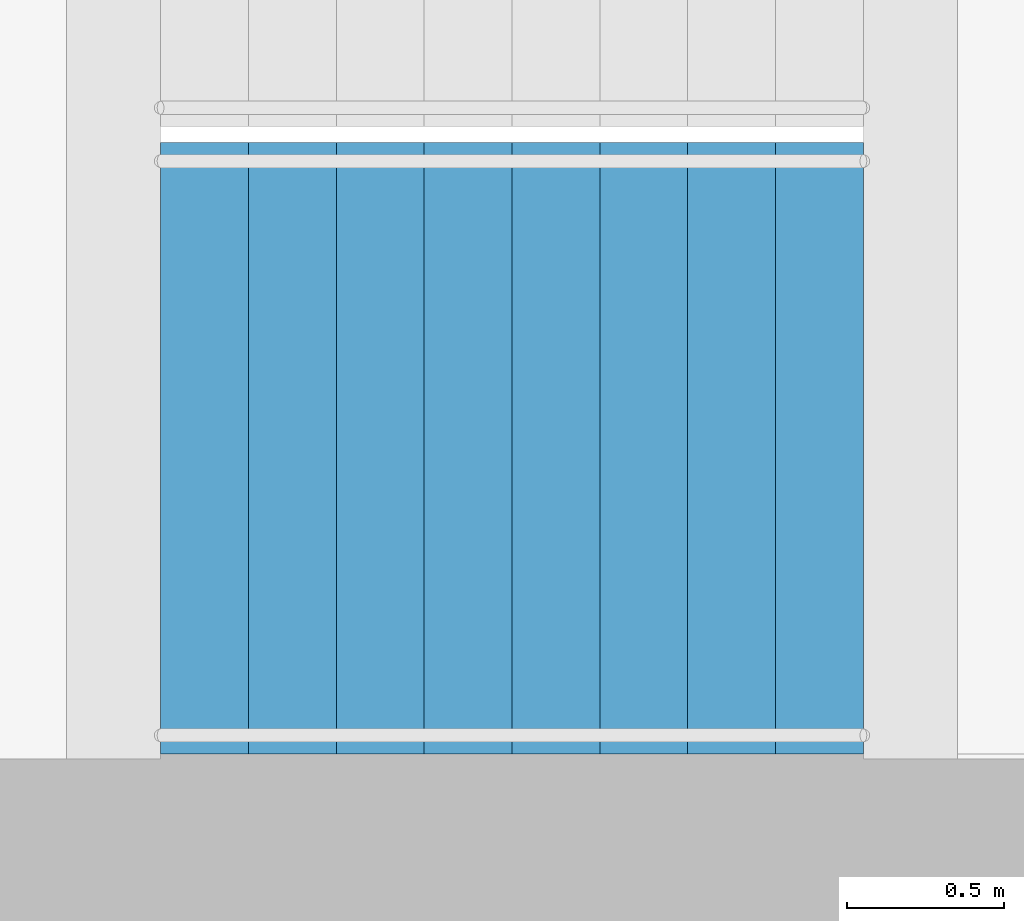
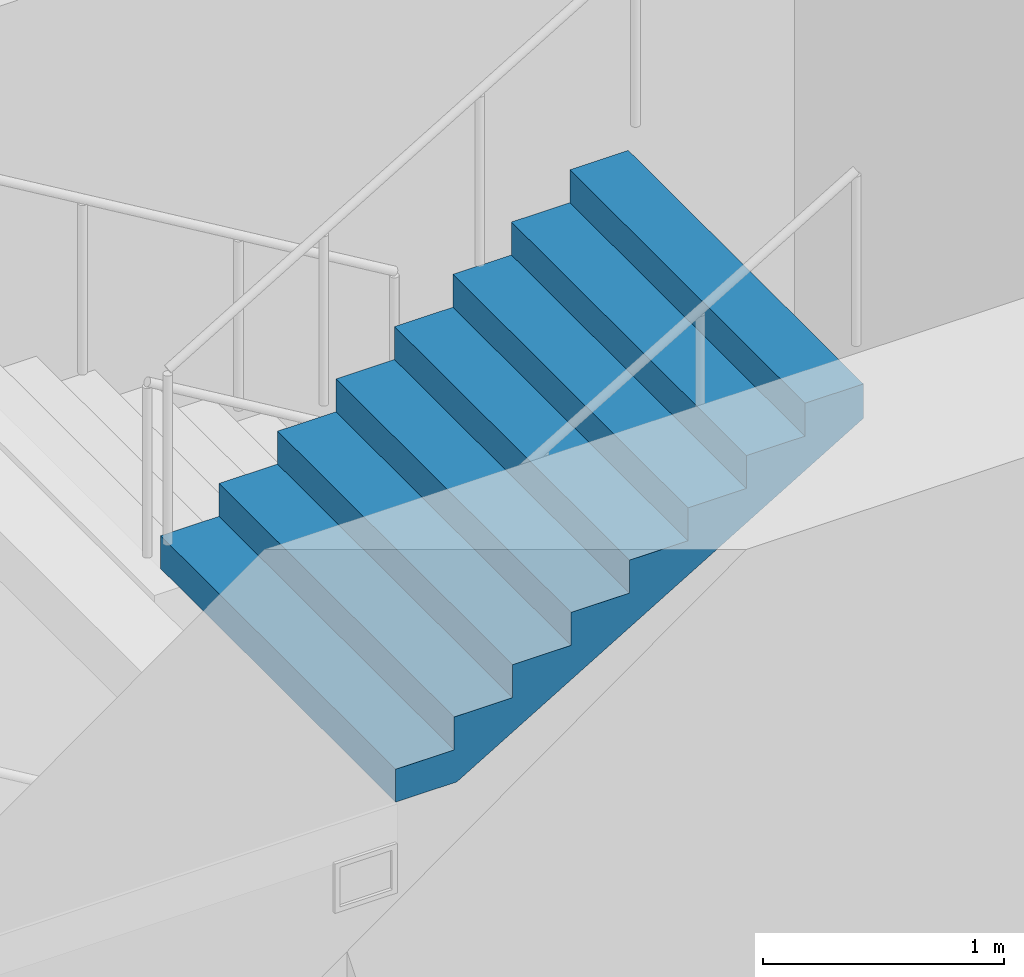
# One storey, part 26 of 57: 1 stair flight, 1 element without a shape of its own.
"""IFC4 building model written with IfcOpenShell, lengths in metres."""

from ifc_helpers import new_model, si_unit, direction, frame, origin, place, context, subcontext, project, spatial, triangles, material, type_object, element, aggregate, save


model = new_model("IFC4")

# Units and contexts
model_context = context("Model", 3, precision=1e-05, world=origin(), true_north=direction((0.0, 1.0)))
body_context = subcontext(model_context, "Body", "Model", "MODEL_VIEW")
ifc_project = project(units=[si_unit("LENGTHUNIT", "METRE"), si_unit("AREAUNIT", "SQUARE_METRE"), si_unit("VOLUMEUNIT", "CUBIC_METRE"), si_unit("PLANEANGLEUNIT", "RADIAN"), si_unit("MASSUNIT", "GRAM", prefix="KILO")], contexts=[model_context])

# Site, building, storey
site_placement = place(None, origin())
site = spatial("IfcSite", under=ifc_project, at=site_placement, CompositionType="ELEMENT")
building_placement = place(site_placement, origin())
building = spatial("IfcBuilding", under=site, at=building_placement, Name="Orbita Commons", CompositionType="ELEMENT")
storey_placement = place(building_placement, origin())
storey = spatial("IfcBuildingStorey", under=building, at=storey_placement, Name="L00", CompositionType="ELEMENT", Elevation=0.0)

# Stair, stair flight
ifc_material_1 = material(Name="Precast concrete C40/50", Category="concrete")
stair_type = type_object("IfcStairType", Name="Exit stair S2 4 flights 9 risers 167", PredefinedType="HALF_TURN_STAIR", material=ifc_material_1)
stair_placement = place(storey_placement, origin())
stair = element("IfcStair", 1, at=stair_placement, inside=storey, type_object=stair_type, Name="Exit stair S2 L00", PredefinedType="HALF_TURN_STAIR")
ifc_material_2 = material(Name="Precast concrete C40/50", Category="concrete")
stair_flight_type = type_object("IfcStairFlightType", Name="Stair flight 9 risers 167 x 280", PredefinedType="STRAIGHT", material=ifc_material_2)
stair_flight_placement = place(storey_placement, frame((61.31005859375, 27.27490234375, 4.5), z_axis=(0.0, 0.0, 1.0), x_axis=(1.0, 0.0, 0.0)))
stair_flight = element("IfcStairFlight", 2, at=stair_flight_placement, type_object=stair_flight_type, Name="S2 flight 4", NumberOfRisers=9, NumberOfTreads=8, PredefinedType="STRAIGHT", RiserHeight=0.166666667, TreadLength=0.28, context=body_context, shape_type="Tessellation", body=[
    triangles([(0.0, 0.974976, 0.0), (0.0, 0.974976, 0.020833), (0.0, 0.81248, 0.020833), (0.0, 0.81248, 0.0), (0.0, 0.649984, 0.020833), (0.0, 0.649984, 0.0), (0.0, 0.487488, 0.020833), (0.0, 0.487488, 0.0), (0.0, 0.324992, 0.020833), (0.0, 0.324992, 0.0), (0.0, 0.162496, 0.020833), (0.0, 0.162496, 0.0), (0.0, 0.0, 0.020833), (0.0, 0.0, 0.0), (0.0, -0.162496, 0.020833), (0.0, -0.162496, 0.0), (0.0, -0.324992, 0.020833), (0.0, -0.324992, 0.0), (0.0, -0.487488, 0.020833), (0.0, -0.487488, 0.0), (0.0, -0.649984, 0.020833), (0.0, -0.649984, 0.0), (0.0, -0.81248, 0.020833), (0.0, -0.81248, 0.0), (0.0, -0.974976, 0.020833), (0.0, -0.974976, 0.0), (0.0, 0.974976, 0.041667), (0.0, 0.81248, 0.041667), (0.0, 0.649984, 0.041667), (0.0, 0.487488, 0.041667), (0.0, 0.324992, 0.041667), (0.0, 0.162496, 0.041667), (0.0, 0.0, 0.041667), (0.0, -0.162496, 0.041667), (0.0, -0.324992, 0.041667), (0.0, -0.487488, 0.041667), (0.0, -0.649984, 0.041667), (0.0, -0.81248, 0.041667), (0.0, -0.974976, 0.041667), (0.0, 0.974976, 0.0625), (0.0, 0.81248, 0.0625), (0.0, 0.649984, 0.0625), (0.0, 0.487488, 0.0625), (0.0, 0.324992, 0.0625), (0.0, 0.162496, 0.0625), (0.0, 0.0, 0.0625), (0.0, -0.162496, 0.0625), (0.0, -0.324992, 0.0625), (0.0, -0.487488, 0.0625), (0.0, -0.649984, 0.0625), (0.0, -0.81248, 0.0625), (0.0, -0.974976, 0.0625), (0.0, 0.974976, 0.083333), (0.0, 0.81248, 0.083333), (0.0, 0.649984, 0.083333), (0.0, 0.487488, 0.083333), (0.0, 0.324992, 0.083333), (0.0, 0.162496, 0.083333), (0.0, 0.0, 0.083333), (0.0, -0.162496, 0.083333), (0.0, -0.324992, 0.083333), (0.0, -0.487488, 0.083333), (0.0, -0.649984, 0.083333), (0.0, -0.81248, 0.083333), (0.0, -0.974976, 0.083333), (0.0, 0.974976, 0.104167), (0.0, 0.81248, 0.104167), (0.0, 0.649984, 0.104167), (0.0, 0.487488, 0.104167), (0.0, 0.324992, 0.104167), (0.0, 0.162496, 0.104167), (0.0, 0.0, 0.104167), (0.0, -0.162496, 0.104167), (0.0, -0.324992, 0.104167), (0.0, -0.487488, 0.104167), (0.0, -0.649984, 0.104167), (0.0, -0.81248, 0.104167), (0.0, -0.974976, 0.104167), (0.0, 0.974976, 0.125), (0.0, 0.81248, 0.125), (0.0, 0.649984, 0.125), (0.0, 0.487488, 0.125), (0.0, 0.324992, 0.125), (0.0, 0.162496, 0.125), (0.0, 0.0, 0.125), (0.0, -0.162496, 0.125), (0.0, -0.324992, 0.125), (0.0, -0.487488, 0.125), (0.0, -0.649984, 0.125), (0.0, -0.81248, 0.125), (0.0, -0.974976, 0.125), (0.0, 0.974976, 0.145833), (0.0, 0.81248, 0.145833), (0.0, 0.649984, 0.145833), (0.0, 0.487488, 0.145833), (0.0, 0.324992, 0.145833), (0.0, 0.162496, 0.145833), (0.0, 0.0, 0.145833), (0.0, -0.162496, 0.145833), (0.0, -0.324992, 0.145833), (0.0, -0.487488, 0.145833), (0.0, -0.649984, 0.145833), (0.0, -0.81248, 0.145833), (0.0, -0.974976, 0.145833), (0.0, 0.974976, 0.166667), (0.0, 0.81248, 0.166667), (0.0, 0.649984, 0.166667), (0.0, 0.487488, 0.166667), (0.0, 0.324992, 0.166667), (0.0, 0.162496, 0.166667), (0.0, 0.0, 0.166667), (0.0, -0.162496, 0.166667), (0.0, -0.324992, 0.166667), (0.0, -0.487488, 0.166667), (0.0, -0.649984, 0.166667), (0.0, -0.81248, 0.166667), (0.0, -0.974976, 0.166667), (0.28, 0.974976, 0.166667), (0.28, 0.81248, 0.166667), (0.28, 0.649984, 0.166667), (0.28, 0.487488, 0.166667), (0.28, 0.324992, 0.166667), (0.28, 0.162496, 0.166667), (0.28, 0.0, 0.166667), (0.28, -0.162496, 0.166667), (0.28, -0.324992, 0.166667), (0.28, -0.487488, 0.166667), (0.28, -0.649984, 0.166667), (0.28, -0.81248, 0.166667), (0.28, -0.974976, 0.166667), (0.28, 0.974976, 0.333333), (0.28, 0.81248, 0.333333), (0.28, 0.649984, 0.333333), (0.28, 0.487488, 0.333333), (0.28, 0.324992, 0.333333), (0.28, 0.162496, 0.333333), (0.28, 0.0, 0.333333), (0.28, -0.162496, 0.333333), (0.28, -0.324992, 0.333333), (0.28, -0.487488, 0.333333), (0.28, -0.649984, 0.333333), (0.28, -0.81248, 0.333333), (0.28, -0.974976, 0.333333), (0.56, 0.974976, 0.333333), (0.56, 0.81248, 0.333333), (0.56, 0.649984, 0.333333), (0.56, 0.487488, 0.333333), (0.56, 0.324992, 0.333333), (0.56, 0.162496, 0.333333), (0.56, 0.0, 0.333333), (0.56, -0.162496, 0.333333), (0.56, -0.324992, 0.333333), (0.56, -0.487488, 0.333333), (0.56, -0.649984, 0.333333), (0.56, -0.81248, 0.333333), (0.56, -0.974976, 0.333333), (0.56, 0.974976, 0.5), (0.56, 0.81248, 0.5), (0.56, 0.649984, 0.5), (0.56, 0.487488, 0.5), (0.56, 0.324992, 0.5), (0.56, 0.162496, 0.5), (0.56, 0.0, 0.5), (0.56, -0.162496, 0.5), (0.56, -0.324992, 0.5), (0.56, -0.487488, 0.5), (0.56, -0.649984, 0.5), (0.56, -0.81248, 0.5), (0.56, -0.974976, 0.5), (0.84, 0.974976, 0.5), (0.84, 0.81248, 0.5), (0.84, 0.649984, 0.5), (0.84, 0.487488, 0.5), (0.84, 0.324992, 0.5), (0.84, 0.162496, 0.5), (0.84, 0.0, 0.5), (0.84, -0.162496, 0.5), (0.84, -0.324992, 0.5), (0.84, -0.487488, 0.5), (0.84, -0.649984, 0.5), (0.84, -0.81248, 0.5), (0.84, -0.974976, 0.5), (0.84, 0.974976, 0.666667), (0.84, 0.81248, 0.666667), (0.84, 0.649984, 0.666667), (0.84, 0.487488, 0.666667), (0.84, 0.324992, 0.666667), (0.84, 0.162496, 0.666667), (0.84, 0.0, 0.666667), (0.84, -0.162496, 0.666667), (0.84, -0.324992, 0.666667), (0.84, -0.487488, 0.666667), (0.84, -0.649984, 0.666667), (0.84, -0.81248, 0.666667), (0.84, -0.974976, 0.666667), (1.12, 0.974976, 0.666667), (1.12, 0.81248, 0.666667), (1.12, 0.649984, 0.666667), (1.12, 0.487488, 0.666667), (1.12, 0.324992, 0.666667), (1.12, 0.162496, 0.666667), (1.12, 0.0, 0.666667), (1.12, -0.162496, 0.666667), (1.12, -0.324992, 0.666667), (1.12, -0.487488, 0.666667), (1.12, -0.649984, 0.666667), (1.12, -0.81248, 0.666667), (1.12, -0.974976, 0.666667), (1.12, 0.974976, 0.833333), (1.12, 0.81248, 0.833333), (1.12, 0.649984, 0.833333), (1.12, 0.487488, 0.833333), (1.12, 0.324992, 0.833333), (1.12, 0.162496, 0.833333), (1.12, 0.0, 0.833333), (1.12, -0.162496, 0.833333), (1.12, -0.324992, 0.833333), (1.12, -0.487488, 0.833333), (1.12, -0.649984, 0.833333), (1.12, -0.81248, 0.833333), (1.12, -0.974976, 0.833333), (1.4, 0.974976, 0.833333), (1.4, 0.81248, 0.833333), (1.4, 0.649984, 0.833333), (1.4, 0.487488, 0.833333), (1.4, 0.324992, 0.833333), (1.4, 0.162496, 0.833333), (1.4, 0.0, 0.833333), (1.4, -0.162496, 0.833333), (1.4, -0.324992, 0.833333), (1.4, -0.487488, 0.833333), (1.4, -0.649984, 0.833333), (1.4, -0.81248, 0.833333), (1.4, -0.974976, 0.833333), (1.4, 0.974976, 1.0), (1.4, 0.81248, 1.0), (1.4, 0.649984, 1.0), (1.4, 0.487488, 1.0), (1.4, 0.324992, 1.0), (1.4, 0.162496, 1.0), (1.4, 0.0, 1.0), (1.4, -0.162496, 1.0), (1.4, -0.324992, 1.0), (1.4, -0.487488, 1.0), (1.4, -0.649984, 1.0), (1.4, -0.81248, 1.0), (1.4, -0.974976, 1.0), (1.68, 0.974976, 1.0), (1.68, 0.81248, 1.0), (1.68, 0.649984, 1.0), (1.68, 0.487488, 1.0), (1.68, 0.324992, 1.0), (1.68, 0.162496, 1.0), (1.68, 0.0, 1.0), (1.68, -0.162496, 1.0), (1.68, -0.324992, 1.0), (1.68, -0.487488, 1.0), (1.68, -0.649984, 1.0), (1.68, -0.81248, 1.0), (1.68, -0.974976, 1.0), (1.68, 0.974976, 1.166667), (1.68, 0.81248, 1.166667), (1.68, 0.649984, 1.166667), (1.68, 0.487488, 1.166667), (1.68, 0.324992, 1.166667), (1.68, 0.162496, 1.166667), (1.68, 0.0, 1.166667), (1.68, -0.162496, 1.166667), (1.68, -0.324992, 1.166667), (1.68, -0.487488, 1.166667), (1.68, -0.649984, 1.166667), (1.68, -0.81248, 1.166667), (1.68, -0.974976, 1.166667), (1.96, 0.974976, 1.166667), (1.96, 0.81248, 1.166667), (1.96, 0.649984, 1.166667), (1.96, 0.487488, 1.166667), (1.96, 0.324992, 1.166667), (1.96, 0.162496, 1.166667), (1.96, 0.0, 1.166667), (1.96, -0.162496, 1.166667), (1.96, -0.324992, 1.166667), (1.96, -0.487488, 1.166667), (1.96, -0.649984, 1.166667), (1.96, -0.81248, 1.166667), (1.96, -0.974976, 1.166667), (1.96, 0.974976, 1.333333), (1.96, 0.81248, 1.333333), (1.96, 0.649984, 1.333333), (1.96, 0.487488, 1.333333), (1.96, 0.324992, 1.333333), (1.96, 0.162496, 1.333333), (1.96, 0.0, 1.333333), (1.96, -0.162496, 1.333333), (1.96, -0.324992, 1.333333), (1.96, -0.487488, 1.333333), (1.96, -0.649984, 1.333333), (1.96, -0.81248, 1.333333), (1.96, -0.974976, 1.333333), (2.24, 0.974976, 1.333333), (2.24, 0.81248, 1.333333), (2.24, 0.649984, 1.333333), (2.24, 0.487488, 1.333333), (2.24, 0.324992, 1.333333), (2.24, 0.162496, 1.333333), (2.24, 0.0, 1.333333), (2.24, -0.162496, 1.333333), (2.24, -0.324992, 1.333333), (2.24, -0.487488, 1.333333), (2.24, -0.649984, 1.333333), (2.24, -0.81248, 1.333333), (2.24, -0.974976, 1.333333), (2.24, 0.974976, 1.311527), (2.24, 0.81248, 1.311527), (2.24, 0.649984, 1.311527), (2.24, 0.487488, 1.311527), (2.24, 0.324992, 1.311527), (2.24, 0.162496, 1.311527), (2.24, 0.0, 1.311527), (2.24, -0.162496, 1.311527), (2.24, -0.324992, 1.311527), (2.24, -0.487488, 1.311527), (2.24, -0.649984, 1.311527), (2.24, -0.81248, 1.311527), (2.24, -0.974976, 1.311527), (2.24, 0.974976, 1.289721), (2.24, 0.81248, 1.289721), (2.24, 0.649984, 1.289721), (2.24, 0.487488, 1.289721), (2.24, 0.324992, 1.289721), (2.24, 0.162496, 1.289721), (2.24, 0.0, 1.289721), (2.24, -0.162496, 1.289721), (2.24, -0.324992, 1.289721), (2.24, -0.487488, 1.289721), (2.24, -0.649984, 1.289721), (2.24, -0.81248, 1.289721), (2.24, -0.974976, 1.289721), (2.24, 0.974976, 1.267915), (2.24, 0.81248, 1.267915), (2.24, 0.649984, 1.267915), (2.24, 0.487488, 1.267915), (2.24, 0.324992, 1.267915), (2.24, 0.162496, 1.267915), (2.24, 0.0, 1.267915), (2.24, -0.162496, 1.267915), (2.24, -0.324992, 1.267915), (2.24, -0.487488, 1.267915), (2.24, -0.649984, 1.267915), (2.24, -0.81248, 1.267915), (2.24, -0.974976, 1.267915), (2.24, 0.974976, 1.246109), (2.24, 0.81248, 1.246109), (2.24, 0.649984, 1.246109), (2.24, 0.487488, 1.246109), (2.24, 0.324992, 1.246109), (2.24, 0.162496, 1.246109), (2.24, 0.0, 1.246109), (2.24, -0.162496, 1.246109), (2.24, -0.324992, 1.246109), (2.24, -0.487488, 1.246109), (2.24, -0.649984, 1.246109), (2.24, -0.81248, 1.246109), (2.24, -0.974976, 1.246109), (2.24, 0.974976, 1.224303), (2.24, 0.81248, 1.224303), (2.24, 0.649984, 1.224303), (2.24, 0.487488, 1.224303), (2.24, 0.324992, 1.224303), (2.24, 0.162496, 1.224303), (2.24, 0.0, 1.224303), (2.24, -0.162496, 1.224303), (2.24, -0.324992, 1.224303), (2.24, -0.487488, 1.224303), (2.24, -0.649984, 1.224303), (2.24, -0.81248, 1.224303), (2.24, -0.974976, 1.224303), (2.24, 0.974976, 1.202497), (2.24, 0.81248, 1.202497), (2.24, 0.649984, 1.202497), (2.24, 0.487488, 1.202497), (2.24, 0.324992, 1.202497), (2.24, 0.162496, 1.202497), (2.24, 0.0, 1.202497), (2.24, -0.162496, 1.202497), (2.24, -0.324992, 1.202497), (2.24, -0.487488, 1.202497), (2.24, -0.649984, 1.202497), (2.24, -0.81248, 1.202497), (2.24, -0.974976, 1.202497), (2.24, 0.974976, 1.180691), (2.24, 0.81248, 1.180691), (2.24, 0.649984, 1.180691), (2.24, 0.487488, 1.180691), (2.24, 0.324992, 1.180691), (2.24, 0.162496, 1.180691), (2.24, 0.0, 1.180691), (2.24, -0.162496, 1.180691), (2.24, -0.324992, 1.180691), (2.24, -0.487488, 1.180691), (2.24, -0.649984, 1.180691), (2.24, -0.81248, 1.180691), (2.24, -0.974976, 1.180691), (2.24, 0.974976, 1.158885), (2.24, 0.81248, 1.158885), (2.24, 0.649984, 1.158885), (2.24, 0.487488, 1.158885), (2.24, 0.324992, 1.158885), (2.24, 0.162496, 1.158885), (2.24, 0.0, 1.158885), (2.24, -0.162496, 1.158885), (2.24, -0.324992, 1.158885), (2.24, -0.487488, 1.158885), (2.24, -0.649984, 1.158885), (2.24, -0.81248, 1.158885), (2.24, -0.974976, 1.158885), (0.293073, 0.974976, 0.0), (0.293073, 0.81248, 0.0), (0.293073, 0.649984, 0.0), (0.293073, 0.487488, 0.0), (0.293073, 0.324992, 0.0), (0.293073, 0.162496, 0.0), (0.293073, 0.0, 0.0), (0.293073, -0.162496, 0.0), (0.293073, -0.324992, 0.0), (0.293073, -0.487488, 0.0), (0.293073, -0.649984, 0.0), (0.293073, -0.81248, 0.0), (0.293073, -0.974976, 0.0)], [[3, 2, 1], [4, 3, 1], [5, 3, 4], [6, 5, 4], [7, 5, 6], [8, 7, 6], [9, 7, 8], [10, 9, 8], [11, 9, 10], [12, 11, 10], [13, 11, 12], [14, 13, 12], [15, 13, 14], [16, 15, 14], [17, 15, 16], [18, 17, 16], [19, 17, 18], [20, 19, 18], [21, 19, 20], [22, 21, 20], [23, 21, 22], [24, 23, 22], [25, 23, 24], [26, 25, 24], [28, 27, 2], [3, 28, 2], [29, 28, 3], [5, 29, 3], [30, 29, 5], [7, 30, 5], [31, 30, 7], [9, 31, 7], [32, 31, 9], [11, 32, 9], [33, 32, 11], [13, 33, 11], [34, 33, 13], [15, 34, 13], [35, 34, 15], [17, 35, 15], [36, 35, 17], [19, 36, 17], [37, 36, 19], [21, 37, 19], [38, 37, 21], [23, 38, 21], [39, 38, 23], [25, 39, 23], [41, 40, 27], [28, 41, 27], [42, 41, 28], [29, 42, 28], [43, 42, 29], [30, 43, 29], [44, 43, 30], [31, 44, 30], [45, 44, 31], [32, 45, 31], [46, 45, 32], [33, 46, 32], [47, 46, 33], [34, 47, 33], [48, 47, 34], [35, 48, 34], [49, 48, 35], [36, 49, 35], [50, 49, 36], [37, 50, 36], [51, 50, 37], [38, 51, 37], [52, 51, 38], [39, 52, 38], [54, 53, 40], [41, 54, 40], [55, 54, 41], [42, 55, 41], [56, 55, 42], [43, 56, 42], [57, 56, 43], [44, 57, 43], [58, 57, 44], [45, 58, 44], [59, 58, 45], [46, 59, 45], [60, 59, 46], [47, 60, 46], [61, 60, 47], [48, 61, 47], [62, 61, 48], [49, 62, 48], [63, 62, 49], [50, 63, 49], [64, 63, 50], [51, 64, 50], [65, 64, 51], [52, 65, 51], [67, 66, 53], [54, 67, 53], [68, 67, 54], [55, 68, 54], [69, 68, 55], [56, 69, 55], [70, 69, 56], [57, 70, 56], [71, 70, 57], [58, 71, 57], [72, 71, 58], [59, 72, 58], [73, 72, 59], [60, 73, 59], [74, 73, 60], [61, 74, 60], [75, 74, 61], [62, 75, 61], [76, 75, 62], [63, 76, 62], [77, 76, 63], [64, 77, 63], [78, 77, 64], [65, 78, 64], [80, 79, 66], [67, 80, 66], [81, 80, 67], [68, 81, 67], [82, 81, 68], [69, 82, 68], [83, 82, 69], [70, 83, 69], [84, 83, 70], [71, 84, 70], [85, 84, 71], [72, 85, 71], [86, 85, 72], [73, 86, 72], [87, 86, 73], [74, 87, 73], [88, 87, 74], [75, 88, 74], [89, 88, 75], [76, 89, 75], [90, 89, 76], [77, 90, 76], [91, 90, 77], [78, 91, 77], [93, 92, 79], [80, 93, 79], [94, 93, 80], [81, 94, 80], [95, 94, 81], [82, 95, 81], [96, 95, 82], [83, 96, 82], [97, 96, 83], [84, 97, 83], [98, 97, 84], [85, 98, 84], [99, 98, 85], [86, 99, 85], [100, 99, 86], [87, 100, 86], [101, 100, 87], [88, 101, 87], [102, 101, 88], [89, 102, 88], [103, 102, 89], [90, 103, 89], [104, 103, 90], [91, 104, 90], [106, 105, 92], [93, 106, 92], [107, 106, 93], [94, 107, 93], [108, 107, 94], [95, 108, 94], [109, 108, 95], [96, 109, 95], [110, 109, 96], [97, 110, 96], [111, 110, 97], [98, 111, 97], [112, 111, 98], [99, 112, 98], [113, 112, 99], [100, 113, 99], [114, 113, 100], [101, 114, 100], [115, 114, 101], [102, 115, 101], [116, 115, 102], [103, 116, 102], [117, 116, 103], [104, 117, 103], [119, 118, 105], [106, 119, 105], [120, 119, 106], [107, 120, 106], [121, 120, 107], [108, 121, 107], [122, 121, 108], [109, 122, 108], [123, 122, 109], [110, 123, 109], [124, 123, 110], [111, 124, 110], [125, 124, 111], [112, 125, 111], [126, 125, 112], [113, 126, 112], [127, 126, 113], [114, 127, 113], [128, 127, 114], [115, 128, 114], [129, 128, 115], [116, 129, 115], [130, 129, 116], [117, 130, 116], [132, 131, 118], [119, 132, 118], [133, 132, 119], [120, 133, 119], [134, 133, 120], [121, 134, 120], [135, 134, 121], [122, 135, 121], [136, 135, 122], [123, 136, 122], [137, 136, 123], [124, 137, 123], [138, 137, 124], [125, 138, 124], [139, 138, 125], [126, 139, 125], [140, 139, 126], [127, 140, 126], [141, 140, 127], [128, 141, 127], [142, 141, 128], [129, 142, 128], [143, 142, 129], [130, 143, 129], [145, 144, 131], [132, 145, 131], [146, 145, 132], [133, 146, 132], [147, 146, 133], [134, 147, 133], [148, 147, 134], [135, 148, 134], [149, 148, 135], [136, 149, 135], [150, 149, 136], [137, 150, 136], [151, 150, 137], [138, 151, 137], [152, 151, 138], [139, 152, 138], [153, 152, 139], [140, 153, 139], [154, 153, 140], [141, 154, 140], [155, 154, 141], [142, 155, 141], [156, 155, 142], [143, 156, 142], [158, 157, 144], [145, 158, 144], [159, 158, 145], [146, 159, 145], [160, 159, 146], [147, 160, 146], [161, 160, 147], [148, 161, 147], [162, 161, 148], [149, 162, 148], [163, 162, 149], [150, 163, 149], [164, 163, 150], [151, 164, 150], [165, 164, 151], [152, 165, 151], [166, 165, 152], [153, 166, 152], [167, 166, 153], [154, 167, 153], [168, 167, 154], [155, 168, 154], [169, 168, 155], [156, 169, 155], [171, 170, 157], [158, 171, 157], [172, 171, 158], [159, 172, 158], [173, 172, 159], [160, 173, 159], [174, 173, 160], [161, 174, 160], [175, 174, 161], [162, 175, 161], [176, 175, 162], [163, 176, 162], [177, 176, 163], [164, 177, 163], [178, 177, 164], [165, 178, 164], [179, 178, 165], [166, 179, 165], [180, 179, 166], [167, 180, 166], [181, 180, 167], [168, 181, 167], [182, 181, 168], [169, 182, 168], [184, 183, 170], [171, 184, 170], [185, 184, 171], [172, 185, 171], [186, 185, 172], [173, 186, 172], [187, 186, 173], [174, 187, 173], [188, 187, 174], [175, 188, 174], [189, 188, 175], [176, 189, 175], [190, 189, 176], [177, 190, 176], [191, 190, 177], [178, 191, 177], [192, 191, 178], [179, 192, 178], [193, 192, 179], [180, 193, 179], [194, 193, 180], [181, 194, 180], [195, 194, 181], [182, 195, 181], [197, 196, 183], [184, 197, 183], [198, 197, 184], [185, 198, 184], [199, 198, 185], [186, 199, 185], [200, 199, 186], [187, 200, 186], [201, 200, 187], [188, 201, 187], [202, 201, 188], [189, 202, 188], [203, 202, 189], [190, 203, 189], [204, 203, 190], [191, 204, 190], [205, 204, 191], [192, 205, 191], [206, 205, 192], [193, 206, 192], [207, 206, 193], [194, 207, 193], [208, 207, 194], [195, 208, 194], [210, 209, 196], [197, 210, 196], [211, 210, 197], [198, 211, 197], [212, 211, 198], [199, 212, 198], [213, 212, 199], [200, 213, 199], [214, 213, 200], [201, 214, 200], [215, 214, 201], [202, 215, 201], [216, 215, 202], [203, 216, 202], [217, 216, 203], [204, 217, 203], [218, 217, 204], [205, 218, 204], [219, 218, 205], [206, 219, 205], [220, 219, 206], [207, 220, 206], [221, 220, 207], [208, 221, 207], [223, 222, 209], [210, 223, 209], [224, 223, 210], [211, 224, 210], [225, 224, 211], [212, 225, 211], [226, 225, 212], [213, 226, 212], [227, 226, 213], [214, 227, 213], [228, 227, 214], [215, 228, 214], [229, 228, 215], [216, 229, 215], [230, 229, 216], [217, 230, 216], [231, 230, 217], [218, 231, 217], [232, 231, 218], [219, 232, 218], [233, 232, 219], [220, 233, 219], [234, 233, 220], [221, 234, 220], [236, 235, 222], [223, 236, 222], [237, 236, 223], [224, 237, 223], [238, 237, 224], [225, 238, 224], [239, 238, 225], [226, 239, 225], [240, 239, 226], [227, 240, 226], [241, 240, 227], [228, 241, 227], [242, 241, 228], [229, 242, 228], [243, 242, 229], [230, 243, 229], [244, 243, 230], [231, 244, 230], [245, 244, 231], [232, 245, 231], [246, 245, 232], [233, 246, 232], [247, 246, 233], [234, 247, 233], [249, 248, 235], [236, 249, 235], [250, 249, 236], [237, 250, 236], [251, 250, 237], [238, 251, 237], [252, 251, 238], [239, 252, 238], [253, 252, 239], [240, 253, 239], [254, 253, 240], [241, 254, 240], [255, 254, 241], [242, 255, 241], [256, 255, 242], [243, 256, 242], [257, 256, 243], [244, 257, 243], [258, 257, 244], [245, 258, 244], [259, 258, 245], [246, 259, 245], [260, 259, 246], [247, 260, 246], [262, 261, 248], [249, 262, 248], [263, 262, 249], [250, 263, 249], [264, 263, 250], [251, 264, 250], [265, 264, 251], [252, 265, 251], [266, 265, 252], [253, 266, 252], [267, 266, 253], [254, 267, 253], [268, 267, 254], [255, 268, 254], [269, 268, 255], [256, 269, 255], [270, 269, 256], [257, 270, 256], [271, 270, 257], [258, 271, 257], [272, 271, 258], [259, 272, 258], [273, 272, 259], [260, 273, 259], [275, 274, 261], [262, 275, 261], [276, 275, 262], [263, 276, 262], [277, 276, 263], [264, 277, 263], [278, 277, 264], [265, 278, 264], [279, 278, 265], [266, 279, 265], [280, 279, 266], [267, 280, 266], [281, 280, 267], [268, 281, 267], [282, 281, 268], [269, 282, 268], [283, 282, 269], [270, 283, 269], [284, 283, 270], [271, 284, 270], [285, 284, 271], [272, 285, 271], [286, 285, 272], [273, 286, 272], [288, 287, 274], [275, 288, 274], [289, 288, 275], [276, 289, 275], [290, 289, 276], [277, 290, 276], [291, 290, 277], [278, 291, 277], [292, 291, 278], [279, 292, 278], [293, 292, 279], [280, 293, 279], [294, 293, 280], [281, 294, 280], [295, 294, 281], [282, 295, 281], [296, 295, 282], [283, 296, 282], [297, 296, 283], [284, 297, 283], [298, 297, 284], [285, 298, 284], [299, 298, 285], [286, 299, 285], [301, 300, 287], [288, 301, 287], [302, 301, 288], [289, 302, 288], [303, 302, 289], [290, 303, 289], [304, 303, 290], [291, 304, 290], [305, 304, 291], [292, 305, 291], [306, 305, 292], [293, 306, 292], [307, 306, 293], [294, 307, 293], [308, 307, 294], [295, 308, 294], [309, 308, 295], [296, 309, 295], [310, 309, 296], [297, 310, 296], [311, 310, 297], [298, 311, 297], [312, 311, 298], [299, 312, 298], [314, 313, 300], [301, 314, 300], [315, 314, 301], [302, 315, 301], [316, 315, 302], [303, 316, 302], [317, 316, 303], [304, 317, 303], [318, 317, 304], [305, 318, 304], [319, 318, 305], [306, 319, 305], [320, 319, 306], [307, 320, 306], [321, 320, 307], [308, 321, 307], [322, 321, 308], [309, 322, 308], [323, 322, 309], [310, 323, 309], [324, 323, 310], [311, 324, 310], [325, 324, 311], [312, 325, 311], [327, 326, 313], [314, 327, 313], [328, 327, 314], [315, 328, 314], [329, 328, 315], [316, 329, 315], [330, 329, 316], [317, 330, 316], [331, 330, 317], [318, 331, 317], [332, 331, 318], [319, 332, 318], [333, 332, 319], [320, 333, 319], [334, 333, 320], [321, 334, 320], [335, 334, 321], [322, 335, 321], [336, 335, 322], [323, 336, 322], [337, 336, 323], [324, 337, 323], [338, 337, 324], [325, 338, 324], [340, 339, 326], [327, 340, 326], [341, 340, 327], [328, 341, 327], [342, 341, 328], [329, 342, 328], [343, 342, 329], [330, 343, 329], [344, 343, 330], [331, 344, 330], [345, 344, 331], [332, 345, 331], [346, 345, 332], [333, 346, 332], [347, 346, 333], [334, 347, 333], [348, 347, 334], [335, 348, 334], [349, 348, 335], [336, 349, 335], [350, 349, 336], [337, 350, 336], [351, 350, 337], [338, 351, 337], [353, 352, 339], [340, 353, 339], [354, 353, 340], [341, 354, 340], [355, 354, 341], [342, 355, 341], [356, 355, 342], [343, 356, 342], [357, 356, 343], [344, 357, 343], [358, 357, 344], [345, 358, 344], [359, 358, 345], [346, 359, 345], [360, 359, 346], [347, 360, 346], [361, 360, 347], [348, 361, 347], [362, 361, 348], [349, 362, 348], [363, 362, 349], [350, 363, 349], [364, 363, 350], [351, 364, 350], [366, 365, 352], [353, 366, 352], [367, 366, 353], [354, 367, 353], [368, 367, 354], [355, 368, 354], [369, 368, 355], [356, 369, 355], [370, 369, 356], [357, 370, 356], [371, 370, 357], [358, 371, 357], [372, 371, 358], [359, 372, 358], [373, 372, 359], [360, 373, 359], [374, 373, 360], [361, 374, 360], [375, 374, 361], [362, 375, 361], [376, 375, 362], [363, 376, 362], [377, 376, 363], [364, 377, 363], [379, 378, 365], [366, 379, 365], [380, 379, 366], [367, 380, 366], [381, 380, 367], [368, 381, 367], [382, 381, 368], [369, 382, 368], [383, 382, 369], [370, 383, 369], [384, 383, 370], [371, 384, 370], [385, 384, 371], [372, 385, 371], [386, 385, 372], [373, 386, 372], [387, 386, 373], [374, 387, 373], [388, 387, 374], [375, 388, 374], [389, 388, 375], [376, 389, 375], [390, 389, 376], [377, 390, 376], [392, 391, 378], [379, 392, 378], [393, 392, 379], [380, 393, 379], [394, 393, 380], [381, 394, 380], [395, 394, 381], [382, 395, 381], [396, 395, 382], [383, 396, 382], [397, 396, 383], [384, 397, 383], [398, 397, 384], [385, 398, 384], [399, 398, 385], [386, 399, 385], [400, 399, 386], [387, 400, 386], [401, 400, 387], [388, 401, 387], [402, 401, 388], [389, 402, 388], [403, 402, 389], [390, 403, 389], [405, 404, 391], [392, 405, 391], [406, 405, 392], [393, 406, 392], [407, 406, 393], [394, 407, 393], [408, 407, 394], [395, 408, 394], [409, 408, 395], [396, 409, 395], [410, 409, 396], [397, 410, 396], [411, 410, 397], [398, 411, 397], [412, 411, 398], [399, 412, 398], [413, 412, 399], [400, 413, 399], [414, 413, 400], [401, 414, 400], [415, 414, 401], [402, 415, 401], [416, 415, 402], [403, 416, 402], [418, 417, 404], [405, 418, 404], [419, 418, 405], [406, 419, 405], [420, 419, 406], [407, 420, 406], [421, 420, 407], [408, 421, 407], [422, 421, 408], [409, 422, 408], [423, 422, 409], [410, 423, 409], [424, 423, 410], [411, 424, 410], [425, 424, 411], [412, 425, 411], [426, 425, 412], [413, 426, 412], [427, 426, 413], [414, 427, 413], [428, 427, 414], [415, 428, 414], [429, 428, 415], [416, 429, 415], [4, 1, 417], [418, 4, 417], [6, 4, 418], [419, 6, 418], [8, 6, 419], [420, 8, 419], [10, 8, 420], [421, 10, 420], [12, 10, 421], [422, 12, 421], [14, 12, 422], [423, 14, 422], [16, 14, 423], [424, 16, 423], [18, 16, 424], [425, 18, 424], [20, 18, 425], [426, 20, 425], [22, 20, 426], [427, 22, 426], [24, 22, 427], [428, 24, 427], [26, 24, 428], [429, 26, 428], [404, 417, 1], [26, 429, 416], [391, 404, 1], [26, 416, 403], [378, 391, 1], [26, 403, 390], [365, 378, 1], [26, 390, 377], [352, 365, 1], [26, 377, 364], [339, 352, 1], [26, 364, 351], [326, 339, 1], [26, 351, 338], [313, 326, 1], [26, 338, 325], [287, 300, 313], [325, 312, 299], [274, 287, 313], [325, 299, 286], [248, 261, 274], [286, 273, 260], [248, 274, 313], [325, 286, 260], [222, 235, 248], [260, 247, 234], [222, 248, 313], [325, 260, 234], [196, 209, 222], [234, 221, 208], [196, 222, 313], [325, 234, 208], [170, 183, 196], [208, 195, 182], [170, 196, 313], [325, 208, 182], [144, 157, 170], [182, 169, 156], [144, 170, 313], [325, 182, 156], [118, 131, 144], [156, 143, 130], [118, 144, 313], [325, 156, 130], [118, 313, 1], [26, 325, 130], [92, 105, 118], [130, 117, 104], [79, 92, 118], [130, 104, 91], [66, 79, 118], [130, 91, 78], [53, 66, 118], [130, 78, 65], [40, 53, 118], [130, 65, 52], [27, 40, 118], [130, 52, 39], [2, 27, 118], [130, 39, 25], [1, 2, 118], [130, 25, 26]], closed=True),
])
aggregate(stair, [stair_flight])

save(model, "model.ifc")
